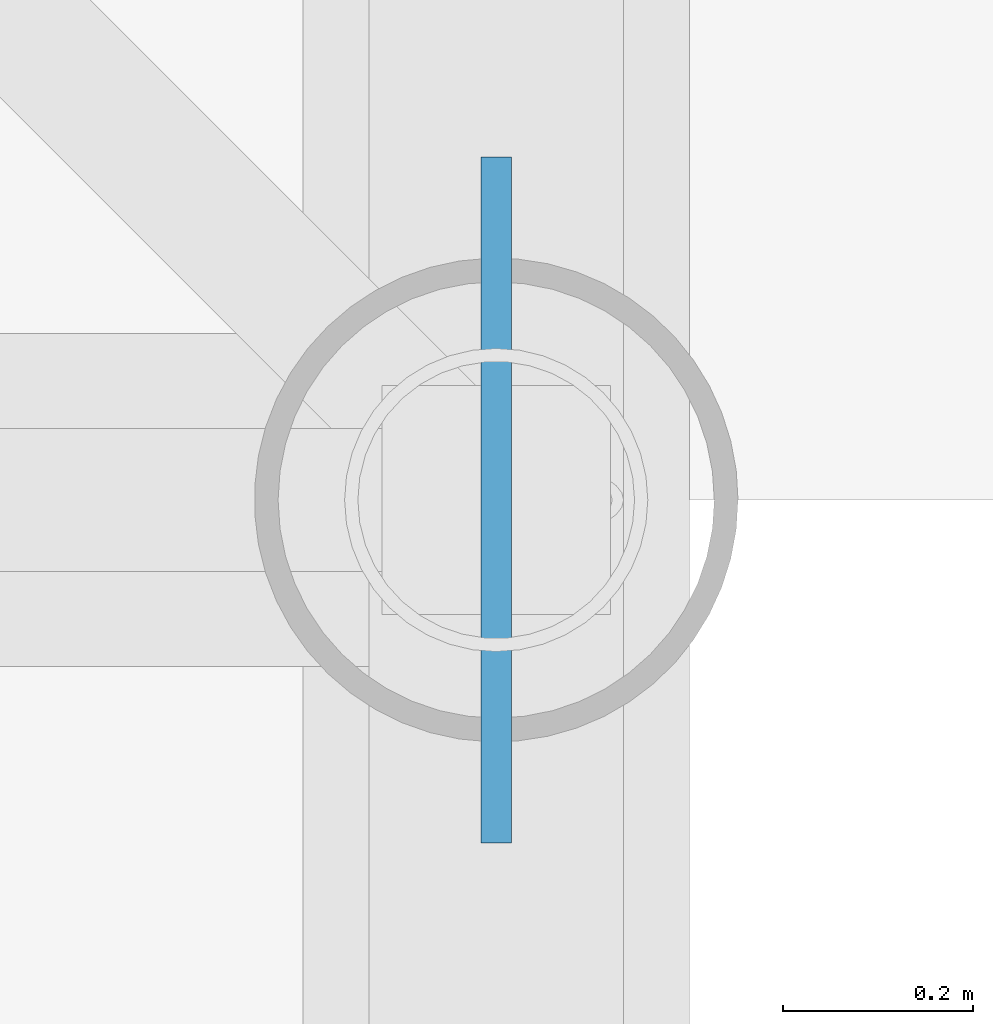
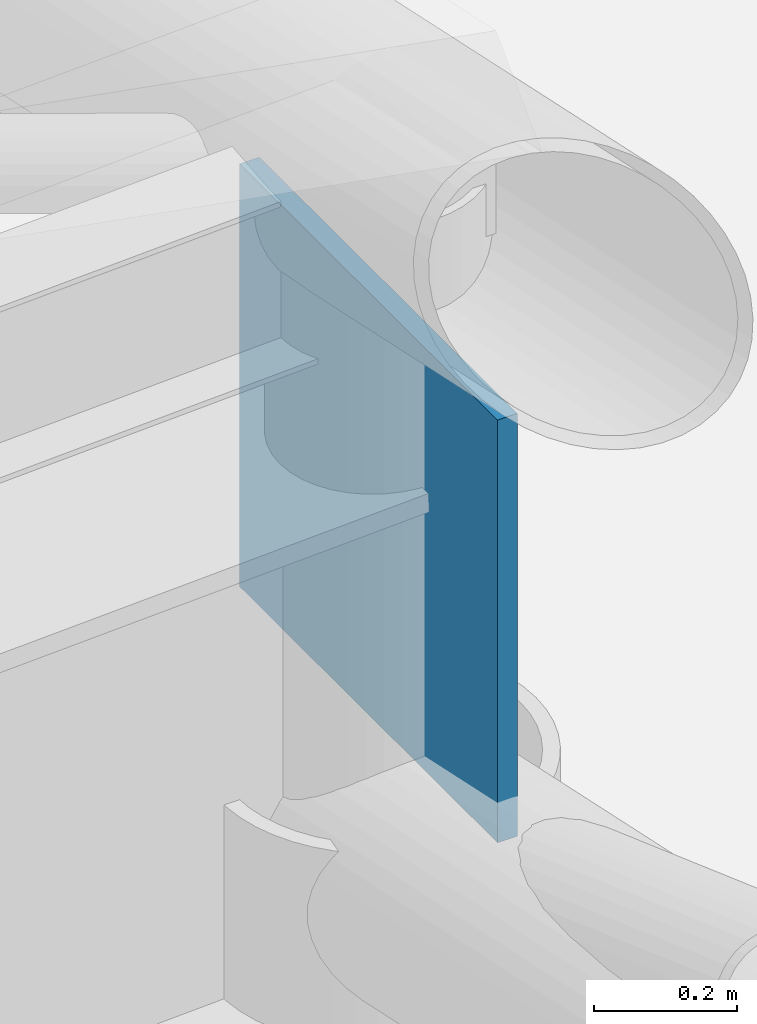
# One storey, part 33 of 54: 1 plate.
"""IFC4 building model written with IfcOpenShell, lengths in metres."""

from ifc_helpers import new_model, si_unit, direction, frame, origin, origin_2d, place, context, subcontext, project, spatial, rectangle, extrude, material, layer, layer_set, type_object, element, save


model = new_model("IFC4")

# Units and contexts
model_context = context("Model", 3, precision=1e-05, world=origin(), true_north=direction((0.0, 1.0)))
body_context = subcontext(model_context, "Body", "Model", "MODEL_VIEW")
ifc_project = project(units=[si_unit("LENGTHUNIT", "METRE"), si_unit("AREAUNIT", "SQUARE_METRE"), si_unit("VOLUMEUNIT", "CUBIC_METRE"), si_unit("PLANEANGLEUNIT", "RADIAN"), si_unit("MASSUNIT", "GRAM", prefix="KILO")], contexts=[model_context])

# Site, building, storey
site_placement = place(None, origin())
site = spatial("IfcSite", under=ifc_project, at=site_placement, CompositionType="ELEMENT")
building_placement = place(site_placement, origin())
building = spatial("IfcBuilding", under=site, at=building_placement, Name="Haebicheon Civic Stadium", CompositionType="ELEMENT")
storey_placement = place(building_placement, frame((0.0, 0.0, 22.800048828125)))
storey = spatial("IfcBuildingStorey", under=building, at=storey_placement, Name="L06", CompositionType="ELEMENT", Elevation=22.800048828125)

# Plate
ifc_material = material(Name="White painted steel SM490", Category="steel")
ifc_layer = layer(ifc_material, 0.031982421875, Name="White painted steel SM490")
ifc_layer_set = layer_set([ifc_layer], Name="White painted steel SM490")
plate_type = type_object("IfcPlateType", Name="PLT-GUS-32", PredefinedType="USERDEFINED", material=ifc_layer_set)
plate_placement = place(storey_placement, frame((128.0, 152.0, 3.3720703125), z_axis=(0.0, 0.0, 1.0), x_axis=(0.0, 1.0, 0.0)))
element("IfcPlate", 1, at=plate_placement, inside=storey, type_object=plate_type, material=ifc_layer_set, Name="CAN-NORTH heel node gusset plate KN-H07", ObjectType="GUSSET PLATE", PredefinedType="USERDEFINED", context=body_context, shape_type="SweptSolid", body=[
    extrude(rectangle(XDim=0.719970703125, YDim=0.031982421875, at=origin_2d()), origin(), (0.0, 0.0, 1.0), 0.719970703125),
])

save(model, "model.ifc")
